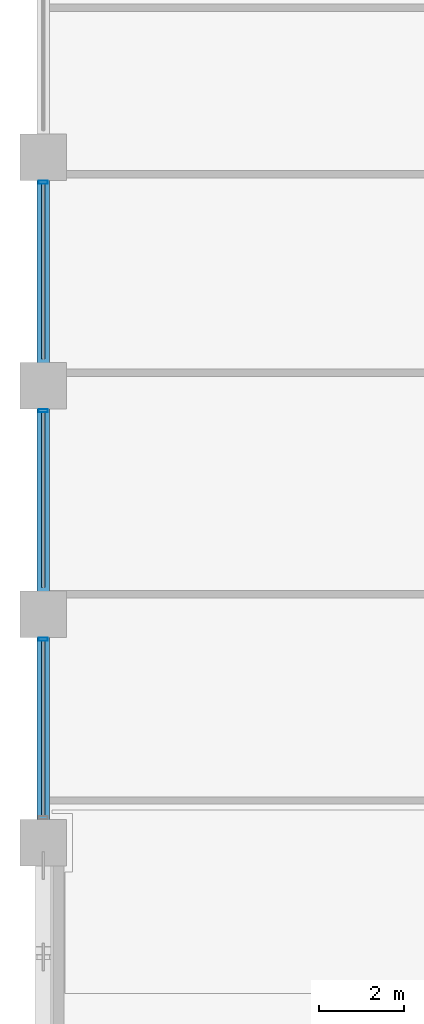
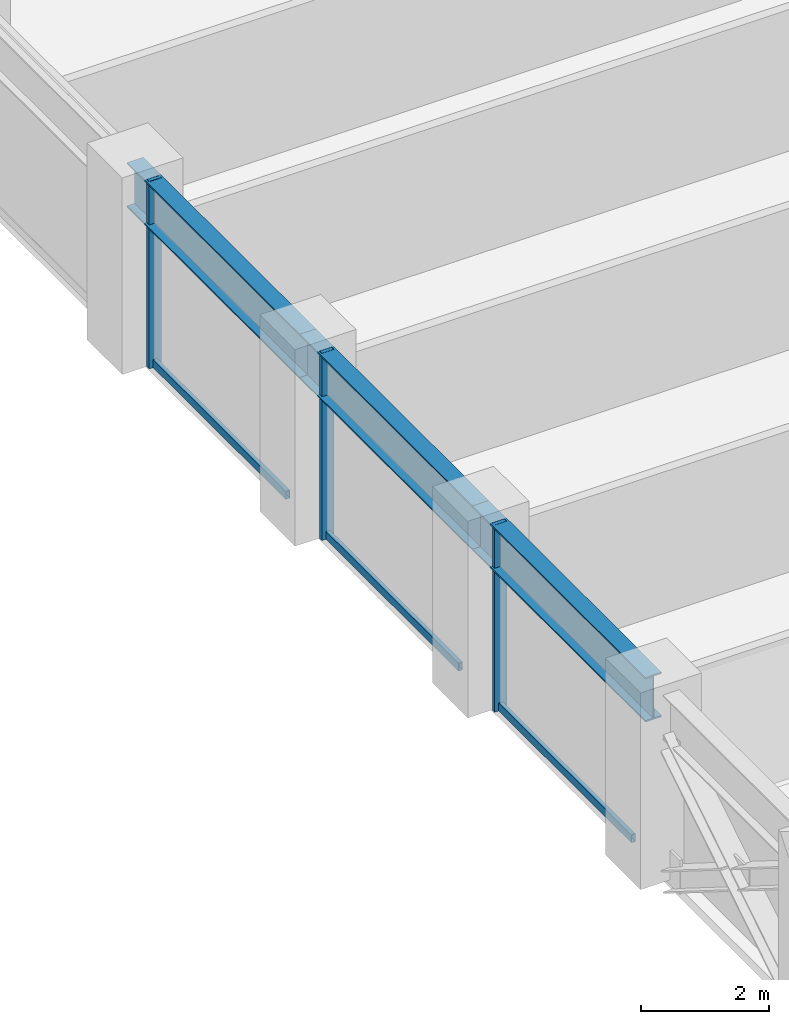
# One storey, part 6 of 25: 6 members, 3 beams, 1 element without a shape of its own.
"""IFC4 building model written with IfcOpenShell, lengths in metres."""

from ifc_helpers import new_model, si_unit, direction, frame, origin, origin_2d, place, context, subcontext, project, spatial, hollow_rectangle, i_section, extrude, material, layer, layer_set, material_profile, profile_set, type_object, element, aggregate, save


model = new_model("IFC4")

# Units and contexts
model_context = context("Model", 3, precision=1e-05, world=origin(), true_north=direction((0.0, 1.0)))
body_context = subcontext(model_context, "Body", "Model", "MODEL_VIEW")
ifc_project = project(units=[si_unit("LENGTHUNIT", "METRE"), si_unit("AREAUNIT", "SQUARE_METRE"), si_unit("VOLUMEUNIT", "CUBIC_METRE"), si_unit("PLANEANGLEUNIT", "RADIAN"), si_unit("MASSUNIT", "GRAM", prefix="KILO")], contexts=[model_context])

# Site, building, storey
site_placement = place(None, origin())
site = spatial("IfcSite", under=ifc_project, at=site_placement, CompositionType="ELEMENT")
building_placement = place(site_placement, origin())
building = spatial("IfcBuilding", under=site, at=building_placement, Name="Surkhivell Harbour Commons", CompositionType="ELEMENT")
storey_placement = place(building_placement, frame((0.0, 0.0, 113.25)))
storey = spatial("IfcBuildingStorey", under=building, at=storey_placement, Name="L29", CompositionType="ELEMENT", Elevation=113.25)

# Beams
ifc_material_1 = material(Name="Steel S460", Category="steel")
ifc_material_profile_1 = material_profile(ifc_material_1, i_section(OverallWidth=0.2939453125, OverallDepth=0.85107421875, WebThickness=0.01611328125, FlangeThickness=0.02685546875, at=origin_2d()), Name="UB838x292x226")
ifc_profile_set_1 = profile_set([ifc_material_profile_1], Name="Steel S460")
beam_type = type_object("IfcBeamType", Name="BM-SPN-838", PredefinedType="SPANDREL", material=ifc_profile_set_1)
beam_placement = place(storey_placement, frame((-32.39990234375, -10.800048828125, 3.14453125), z_axis=(0.0, 1.0, 0.0), x_axis=(-1.0, 0.0, 0.0)))
element("IfcBeam", 1, at=beam_placement, inside=storey, type_object=beam_type, Name="L29 Tube Spandrel (-32.4,-10.8)", PredefinedType="SPANDREL", context=body_context, shape_type="SweptSolid", body=[
    extrude(i_section(OverallWidth=0.2939453125, OverallDepth=0.85107421875, WebThickness=0.01611328125, FlangeThickness=0.02685546875, at=origin_2d()), origin(), (0.0, 0.0, 1.0), 5.400146484375),
])
for number, where, z_axis, x_axis, name in (
    (2, (-32.39990234375, -5.39990234375, 3.14453125), (0.0, 1.0, 0.0), (-1.0, 0.0, 0.0), "L29 Tube Spandrel (-32.4,-5.4)"),
    (3, (-32.39990234375, 0.0, 3.14453125), (0.0, 1.0, 0.0), (-1.0, 0.0, 0.0), "L29 Tube Spandrel (-32.4,0.0)"),
):
    element("IfcBeam", number, at=place(storey_placement, frame(where, z_axis=z_axis, x_axis=x_axis)), inside=storey, type_object=beam_type, Name=name, PredefinedType="SPANDREL", context=body_context, shape_type="SweptSolid", body=[
        extrude(i_section(OverallWidth=0.2939453125, OverallDepth=0.85107421875, WebThickness=0.01611328125, FlangeThickness=0.02685546875, at=origin_2d()), origin(), (0.0, 0.0, 1.0), 5.39990234375),
    ])

# Curtain wall, members
ifc_material_2 = material(Name="Anodised pale-metal aluminium and insulated glazing", Category="aluminium")
ifc_layer = layer(ifc_material_2, 0.205078125)
ifc_layer_set = layer_set([ifc_layer], Name="Anodised pale-metal aluminium and insulated glazing")
curtain_wall_type = type_object("IfcCurtainWallType", Name="CW-SYS-Z2", PredefinedType="NOTDEFINED", material=ifc_layer_set)
curtain_wall_placement = place(storey_placement, origin())
curtain_wall = element("IfcCurtainWall", 4, at=curtain_wall_placement, inside=storey, type_object=curtain_wall_type, Name="L29 Curtain Wall CW-L29-E12S1", PredefinedType="NOTDEFINED")
ifc_material_3 = material(Name="Anodised pale-metal aluminium alloy 6063-T6", Category="aluminium")
ifc_material_profile_2 = material_profile(ifc_material_3, hollow_rectangle(XDim=0.074951171875, YDim=0.219970703125, WallThickness=0.00390625, at=origin_2d()), Name="ALU-MULL-75x220")
ifc_profile_set_2 = profile_set([ifc_material_profile_2], Name="Anodised pale-metal aluminium alloy 6063-T6")
member_type_1 = type_object("IfcMemberType", Name="CWM-220", PredefinedType="MULLION", material=ifc_profile_set_2)
member_1_placement = place(storey_placement, frame((-32.39990234375, 4.810546875, 0.0), z_axis=(0.0, 0.0, 1.0), x_axis=(0.0, -1.0, 0.0)))
member_1 = element("IfcMember", 5, at=member_1_placement, type_object=member_type_1, Name="CW-Z2 mullion 4", PredefinedType="MULLION", context=body_context, shape_type="SweptSolid", body=[
    extrude(hollow_rectangle(XDim=0.074951171875, YDim=0.219970703125, WallThickness=0.00390625, at=origin_2d()), origin(), (0.0, 0.0, 1.0), 3.570068359375),
])
member_2_placement = place(storey_placement, frame((-32.39990234375, -0.589599609375, 0.0), z_axis=(0.0, 0.0, 1.0), x_axis=(0.0, -1.0, 0.0)))
member_2 = element("IfcMember", 6, at=member_2_placement, type_object=member_type_1, Name="CW-Z2 mullion 5", PredefinedType="MULLION", context=body_context, shape_type="SweptSolid", body=[
    extrude(hollow_rectangle(XDim=0.074951171875, YDim=0.219970703125, WallThickness=0.00390625, at=origin_2d()), origin(), (0.0, 0.0, 1.0), 3.570068359375),
])
member_3_placement = place(storey_placement, frame((-32.39990234375, -5.989501953125, 0.0), z_axis=(0.0, 0.0, 1.0), x_axis=(0.0, -1.0, 0.0)))
member_3 = element("IfcMember", 7, at=member_3_placement, type_object=member_type_1, Name="CW-Z2 mullion 6", PredefinedType="MULLION", context=body_context, shape_type="SweptSolid", body=[
    extrude(hollow_rectangle(XDim=0.074951171875, YDim=0.219970703125, WallThickness=0.00390625, at=origin_2d()), origin(), (0.0, 0.0, 1.0), 3.570068359375),
])
ifc_material_profile_3 = material_profile(ifc_material_3, hollow_rectangle(XDim=0.074951171875, YDim=0.14990234375, WallThickness=0.00341796875, at=origin_2d()), Name="ALU-TRAN-75x150")
ifc_profile_set_3 = profile_set([ifc_material_profile_3], Name="Anodised pale-metal aluminium alloy 6063-T6")
member_type_2 = type_object("IfcMemberType", Name="CWT-150", PredefinedType="USERDEFINED", material=ifc_profile_set_3)
member_4_placement = place(storey_placement, frame((-32.39990234375, 4.77294921875, 0.074951171875), z_axis=(0.0, -1.0, 0.0), x_axis=(1.0, 0.0, 0.0)))
member_4 = element("IfcMember", 8, at=member_4_placement, type_object=member_type_2, Name="CW-Z2 transom 4.1", ObjectType="TRANSOM", PredefinedType="USERDEFINED", context=body_context, shape_type="SweptSolid", body=[
    extrude(hollow_rectangle(XDim=0.074951171875, YDim=0.14990234375, WallThickness=0.00341796875, at=origin_2d()), origin(), (0.0, 0.0, 1.0), 4.14599609375),
])
member_5_placement = place(storey_placement, frame((-32.39990234375, -0.626953125, 0.074951171875), z_axis=(0.0, -1.0, 0.0), x_axis=(1.0, 0.0, 0.0)))
member_5 = element("IfcMember", 9, at=member_5_placement, type_object=member_type_2, Name="CW-Z2 transom 5.1", ObjectType="TRANSOM", PredefinedType="USERDEFINED", context=body_context, shape_type="SweptSolid", body=[
    extrude(hollow_rectangle(XDim=0.074951171875, YDim=0.14990234375, WallThickness=0.00341796875, at=origin_2d()), origin(), (0.0, 0.0, 1.0), 4.14599609375),
])
member_6_placement = place(storey_placement, frame((-32.39990234375, -6.027099609375, 0.074951171875), z_axis=(0.0, -1.0, 0.0), x_axis=(1.0, 0.0, 0.0)))
member_6 = element("IfcMember", 10, at=member_6_placement, type_object=member_type_2, Name="CW-Z2 transom 6.1", ObjectType="TRANSOM", PredefinedType="USERDEFINED", context=body_context, shape_type="SweptSolid", body=[
    extrude(hollow_rectangle(XDim=0.074951171875, YDim=0.14990234375, WallThickness=0.00341796875, at=origin_2d()), origin(), (0.0, 0.0, 1.0), 4.14599609375),
])
aggregate(curtain_wall, [member_1, member_4, member_2, member_5, member_3, member_6])

save(model, "model.ifc")
